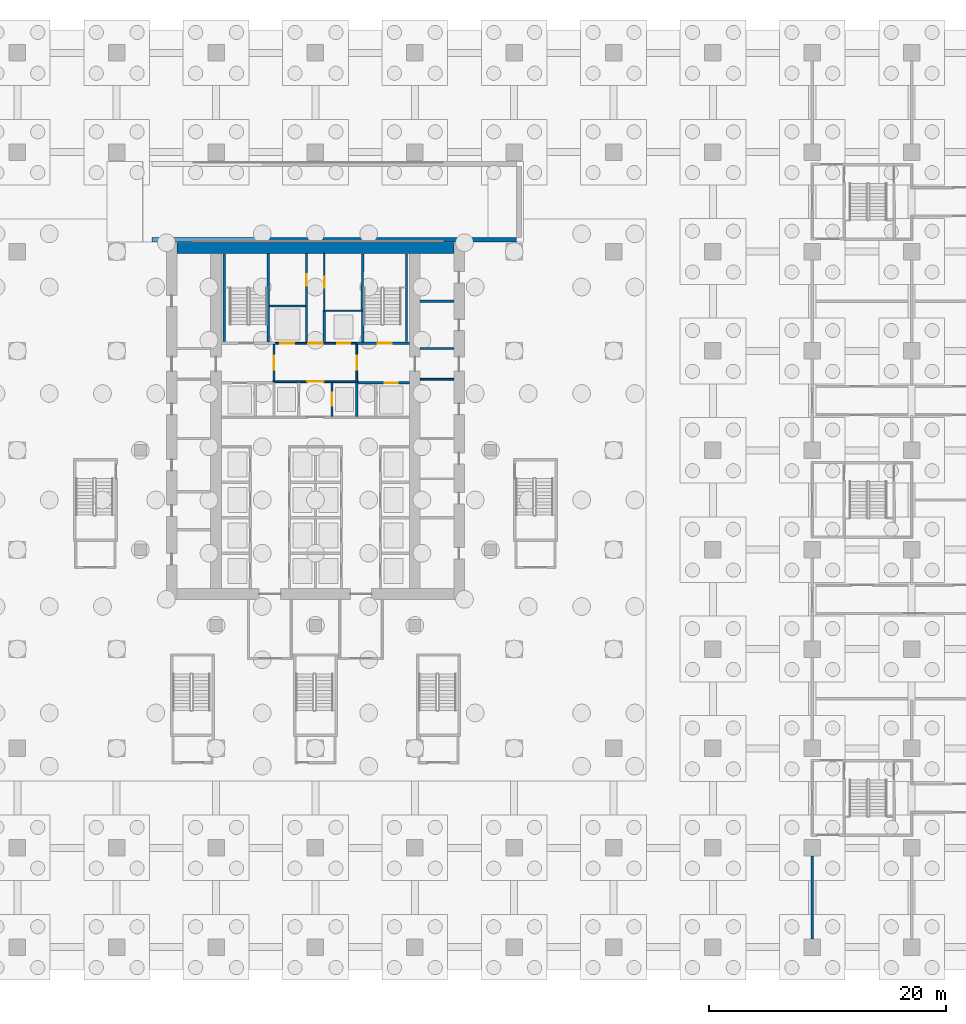
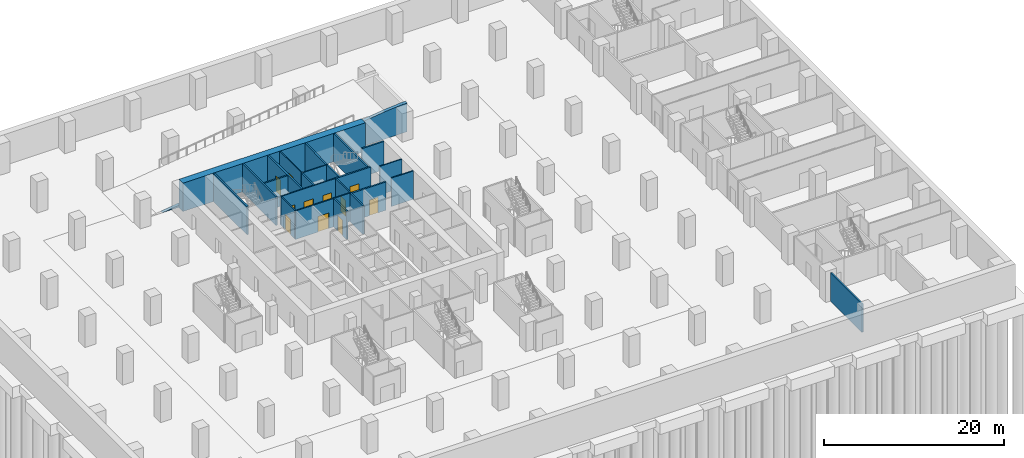
# One storey, part 12 of 22: 24 walls, 11 doors, 11 openings.
"""IFC4 building model written with IfcOpenShell, lengths in metres."""

import ifcopenshell
import ifcopenshell.guid

model = None  # the IFC model being written
_history = None  # IfcOwnerHistory: only IFC2X3 demands one
_inside = {}  # id of a spatial element -> (the spatial element, [elements in it])
_under = {}  # id of a project, library or spatial element -> (it, [spatial elements below it])
_declared = {}  # id of a project -> (the project, [libraries it declares])
_typed = {}  # id of a type object -> (the type object, [elements of that type])
_made_of = {}  # id of a material, layer set ... -> (it, [elements and type objects made of it])


def new_model(schema):
    """Start an empty IFC model of exactly this schema.

    Asked for "IFC4X3", IfcOpenShell would pick the latest addendum, in which some entities
    have other attributes; the version numbers below select the first issue.
    IFC2X3 requires an IfcOwnerHistory on every rooted entity: one is made here for all.
    """
    global model, _history
    if schema == "IFC4X3":
        model = ifcopenshell.file(schema_version=(4, 3, 0, 0))
    else:
        model = ifcopenshell.file(schema=schema)
    _inside.clear()
    _under.clear()
    _declared.clear()
    _typed.clear()
    _made_of.clear()
    _history = None
    if model.schema == "IFC2X3":
        org = make("IfcOrganization", Name="unknown")
        user = make(
            "IfcPersonAndOrganization",
            ThePerson=make("IfcPerson", FamilyName="unknown"),
            TheOrganization=org,
        )
        app = make(
            "IfcApplication",
            ApplicationDeveloper=org,
            Version="unknown",
            ApplicationFullName="unknown",
            ApplicationIdentifier="unknown",
        )
        _history = make(
            "IfcOwnerHistory",
            OwningUser=user,
            OwningApplication=app,
            ChangeAction="ADDED",
            CreationDate=0,
        )
    return model


def make(cls, **values):
    """One entity of the class cls with the attributes given. An attribute that is None is left unset."""
    return model.create_entity(
        cls, **{name: value for name, value in values.items() if value is not None}
    )


def rooted(cls, **values):
    """An entity with a GlobalId (a new one), such as an element, a storey or a relation."""
    return make(cls, GlobalId=ifcopenshell.guid.new(), OwnerHistory=_history, **values)


def si_unit(unit_type, name, prefix=None):
    """IfcSIUnit, for example si_unit("LENGTHUNIT", "METRE", prefix="MILLI")."""
    return make("IfcSIUnit", UnitType=unit_type, Prefix=prefix, Name=name)


def assignment(units):
    """IfcUnitAssignment: the units of a project."""
    return None if units is None else make("IfcUnitAssignment", Units=units)


def point(xyz):
    """IfcCartesianPoint."""
    return None if xyz is None else make("IfcCartesianPoint", Coordinates=xyz)


def direction(xyz):
    """IfcDirection."""
    return None if xyz is None else make("IfcDirection", DirectionRatios=xyz)


def frame(location, z_axis=None, x_axis=None):
    """IfcAxis2Placement3D, a coordinate frame: its origin and axes. An axis left out is left unset."""
    return make(
        "IfcAxis2Placement3D",
        Location=point(location),
        Axis=direction(z_axis),
        RefDirection=direction(x_axis),
    )


def frame_2d(location, x_axis=None):
    """IfcAxis2Placement2D, a coordinate frame in the plane: its origin and x axis."""
    return make(
        "IfcAxis2Placement2D", Location=point(location), RefDirection=direction(x_axis)
    )


def origin():
    """The frame at (0, 0, 0) with its axes left unset."""
    return frame((0.0, 0.0, 0.0))


def place(relative_to, where):
    """IfcLocalPlacement: puts the frame where relative to a parent placement (None: the world)."""
    return make(
        "IfcLocalPlacement", PlacementRelTo=relative_to, RelativePlacement=where
    )


def context(
    kind, dimensions, precision=None, world=None, true_north=None, identifier=None
):
    """IfcGeometricRepresentationContext, for example the 3D "Model" context."""
    return make(
        "IfcGeometricRepresentationContext",
        ContextIdentifier=identifier,
        ContextType=kind,
        CoordinateSpaceDimension=dimensions,
        Precision=precision,
        WorldCoordinateSystem=world,
        TrueNorth=true_north,
    )


def subcontext(parent, identifier, kind, view, scale=None):
    """IfcGeometricRepresentationSubContext, for example "Body" below "Model"."""
    return make(
        "IfcGeometricRepresentationSubContext",
        ContextIdentifier=identifier,
        ContextType=kind,
        ParentContext=parent,
        TargetScale=scale,
        TargetView=view,
    )


def project(units=None, contexts=None):
    """IfcProject with its units and contexts."""
    return rooted(
        "IfcProject",
        Name="project",
        RepresentationContexts=contexts,
        UnitsInContext=assignment(units),
    )


def spatial(cls, under=None, at=None, **own):
    """A site, building, storey or space (cls), placed at a placement, below another one or the project."""
    s = rooted(cls, ObjectPlacement=at, **own)
    if under is not None:
        _under.setdefault(under.id(), (under, []))[1].append(s)
    return s


def polyline(points):
    """IfcPolyline through the points."""
    return make("IfcPolyline", Points=[point(p) for p in points])


def profile(cls, at=None, kind="AREA", **sizes):
    """A parametric profile (cls). Its sizes go by their IFC names, for example OverallWidth=200.0."""
    return make(cls, ProfileType=kind, Position=at, **sizes)


def rectangle(**sizes):
    """IfcRectangleProfileDef."""
    return profile("IfcRectangleProfileDef", **sizes)


def outline(outer, holes=None, kind="AREA"):
    """IfcArbitraryClosedProfileDef: a profile drawn as a closed curve; with holes, ...WithVoids."""
    if holes is None:
        return make("IfcArbitraryClosedProfileDef", ProfileType=kind, OuterCurve=outer)
    return make(
        "IfcArbitraryProfileDefWithVoids",
        ProfileType=kind,
        OuterCurve=outer,
        InnerCurves=holes,
    )


def extrude(swept, where, along, depth):
    """IfcExtrudedAreaSolid: the profile swept, set in the frame where, extruded along a direction by depth."""
    return make(
        "IfcExtrudedAreaSolid",
        SweptArea=swept,
        Position=where,
        ExtrudedDirection=direction(along),
        Depth=depth,
    )


def shape(context_of_items, identifier, shape_type, items):
    """IfcShapeRepresentation: the items that make up one representation, for example the "Body"."""
    return make(
        "IfcShapeRepresentation",
        ContextOfItems=context_of_items,
        RepresentationIdentifier=identifier,
        RepresentationType=shape_type,
        Items=items,
    )


def material(Name=None, Category=None):
    """IfcMaterial."""
    return make("IfcMaterial", Name=Name, Category=Category)


def layer(
    of_material, thickness, ventilated=None, Name=None, Category=None, Priority=None
):
    """IfcMaterialLayer: one layer of a wall or slab, of a material (None: an air gap)."""
    return make(
        "IfcMaterialLayer",
        Material=of_material,
        LayerThickness=thickness,
        IsVentilated=ventilated,
        Name=Name,
        Category=Category,
        Priority=Priority,
    )


def layer_set(layers, Name=None):
    """IfcMaterialLayerSet."""
    return make("IfcMaterialLayerSet", MaterialLayers=layers, LayerSetName=Name)


def made_of(thing, what):
    """Note that an element or type object is made of a material, layer set ...; save() writes the relation."""
    if what is not None:
        _made_of.setdefault(what.id(), (what, []))[1].append(thing)
    return thing


def type_object(cls, material=None, **own):
    """A type object (cls), such as IfcWallType, which elements share."""
    return made_of(rooted(cls, **own), material)


def element(
    cls,
    number,
    at=None,
    inside=None,
    cuts=None,
    type_object=None,
    material=None,
    context=None,
    identifier="Body",
    shape_type=None,
    held_by="IfcProductDefinitionShape",
    body=None,
    shapes=None,
    **own,
):
    """One element of the class cls, such as IfcWall. Its Tag is "e" and its number.

    at: its placement. inside: the storey or other place that contains it. cuts: it is an
    opening in that element (IfcRelVoidsElement). A single representation is given by context,
    identifier, shape_type and body (its items); several are given by shapes. held_by: the class
    of the entity that holds the representations. save() writes the other relations.
    """
    e = rooted(cls, Tag="e%d" % number, ObjectPlacement=at, **own)
    if body is not None:
        shapes = [shape(context, identifier, shape_type, body)]
    if shapes is not None:
        e.Representation = make(held_by, Representations=shapes)
    if inside is not None:
        _inside.setdefault(inside.id(), (inside, []))[1].append(e)
    if cuts is not None:
        rooted(
            "IfcRelVoidsElement", RelatingBuildingElement=cuts, RelatedOpeningElement=e
        )
    if type_object is not None:
        _typed.setdefault(type_object.id(), (type_object, []))[1].append(e)
    return made_of(e, material)


def fill(opening, filler):
    """IfcRelFillsElement: the door or window that sits in an opening."""
    return rooted(
        "IfcRelFillsElement",
        RelatingOpeningElement=opening,
        RelatedBuildingElement=filler,
    )


def aggregate(whole, parts):
    """IfcRelAggregates: a whole, such as a stair, and the parts it consists of."""
    return rooted("IfcRelAggregates", RelatingObject=whole, RelatedObjects=parts)


def save(model, path):
    """Write the relations noted so far, then the file.

    IfcRelAggregates (storeys below a building ...), IfcRelContainedInSpatialStructure (elements
    in a storey), IfcRelDefinesByType, IfcRelAssociatesMaterial and IfcRelDeclares: one each for
    every whole, place, type object, material and project.
    """
    for whole, parts in _under.values():
        aggregate(whole, parts)
    for where, things in _inside.values():
        rooted(
            "IfcRelContainedInSpatialStructure",
            RelatedElements=things,
            RelatingStructure=where,
        )
    for kind, things in _typed.values():
        rooted("IfcRelDefinesByType", RelatedObjects=things, RelatingType=kind)
    for what, things in _made_of.values():
        rooted("IfcRelAssociatesMaterial", RelatedObjects=things, RelatingMaterial=what)
    for by, libraries in _declared.values():
        rooted("IfcRelDeclares", RelatingContext=by, RelatedDefinitions=libraries)
    model.write(path)


model = new_model("IFC4")

# Units and contexts
model_context = context("Model", 3, precision=1e-05, world=origin(), true_north=direction((0.0, 1.0)))
body_context = subcontext(model_context, "Body", "Model", "MODEL_VIEW")
ifc_project = project(units=[si_unit("LENGTHUNIT", "METRE"), si_unit("AREAUNIT", "SQUARE_METRE"), si_unit("VOLUMEUNIT", "CUBIC_METRE"), si_unit("PLANEANGLEUNIT", "RADIAN"), si_unit("MASSUNIT", "GRAM", prefix="KILO")], contexts=[model_context])

# Site, building, storey
site_placement = place(None, origin())
site = spatial("IfcSite", under=ifc_project, at=site_placement, CompositionType="ELEMENT")
building_placement = place(site_placement, origin())
building = spatial("IfcBuilding", under=site, at=building_placement, Name="Vermilion Ogive Tower", CompositionType="ELEMENT")
storey_placement = place(building_placement, frame((0.0, 0.0, -8.39990234375)))
storey = spatial("IfcBuildingStorey", under=building, at=storey_placement, Name="B2", CompositionType="ELEMENT", Elevation=-8.39990234375)

# Walls
ifc_material_1 = material(Name="Concrete B45", Category="concrete")
ifc_layer_1 = layer(ifc_material_1, 0.39990234375)
ifc_layer_set_1 = layer_set([ifc_layer_1], Name="Car park ramp wall 400 Concrete B45")
wall_type_1 = type_object("IfcWallType", Name="Car park ramp wall 400 Concrete B45", PredefinedType="SOLIDWALL", material=ifc_layer_set_1)
wall_1_placement = place(storey_placement, frame((-17.60009765625, 22.0, 0.0), z_axis=(0.0, 0.0, 1.0), x_axis=(1.0, 0.0, 0.0)))
element("IfcWall", 1, at=wall_1_placement, inside=storey, type_object=wall_type_1, Name="Car park ramp RB basement 2 to 1 wall R", PredefinedType="SOLIDWALL", context=body_context, shape_type="SweptSolid", body=[
    extrude(outline(polyline([(0.0, 0.0), (35.2001953125, 0.0), (35.199951171875, 3.89990234375), (34.60009765625, 3.89892578125), (32.199951171875, 3.70166015625), (3.0, -0.10498046875), (0.0, -0.30078125), (0.0, 0.0)])), frame((0.0, 0.199951171875, 0.0), z_axis=(0.0, -1.0, 0.0), x_axis=(1.0, 0.0, 0.0)), (0.0, 0.0, 1.0), 0.39990234375),
])
ifc_material_2 = material(Name="Gypsum board partition on steel studs", Category="steel")
ifc_layer_2 = layer(ifc_material_2, 0.10009765625)
ifc_layer_set_2 = layer_set([ifc_layer_2], Name="Partition 100 bath")
wall_type_2 = type_object("IfcWallType", Name="Partition 100 bath", PredefinedType="PARTITIONING", material=ifc_layer_set_2)
wall_2_placement = place(storey_placement, frame((0.64990234375, 16.0, 0.0), z_axis=(0.0, 0.0, 1.0), x_axis=(1.0, 0.0, 0.0)))
element("IfcWall", 2, at=wall_2_placement, inside=storey, type_object=wall_type_2, Name="B2-CK-W-W020", PredefinedType="PARTITIONING", context=body_context, shape_type="SweptSolid", body=[
    extrude(rectangle(XDim=3.4501953125, YDim=0.10009765625, at=frame_2d((1.72509765625, 0.0))), origin(), (0.0, 0.0, 1.0), 3.849853515625),
])

# Wall, opening, door
wall_3_placement = place(storey_placement, frame((0.75, 16.050048828125, 0.0), z_axis=(0.0, 0.0, 1.0), x_axis=(0.0, 1.0, 0.0)))
wall_3 = element("IfcWall", 3, at=wall_3_placement, inside=storey, type_object=wall_type_2, Name="B2-CK-W-W032", PredefinedType="PARTITIONING", context=body_context, shape_type="SweptSolid", body=[
    extrude(rectangle(XDim=4.799072265625, YDim=0.10009765625, at=frame_2d((2.3994140625, 0.0))), origin(), (0.0, 0.0, 1.0), 3.849853515625),
])
opening_1_placement = place(wall_3_placement, frame((1.875, 0.0, 0.0)))
opening_1 = element("IfcOpeningElement", 4, at=opening_1_placement, cuts=wall_3, Name="Opening DAG036", PredefinedType="OPENING", context=body_context, shape_type="SweptSolid", body=[
    extrude(rectangle(XDim=0.949951171875, YDim=2.10009765625, at=frame_2d((0.47509765625, 1.050048828125))), frame((0.0, 0.06005859375, 0.0), z_axis=(0.0, -1.0, 0.0), x_axis=(1.0, 0.0, 0.0)), (0.0, 0.0, 1.0), 0.1201171875),
])
ifc_material_3 = material(Name="Timber door leaf", Category="wood")
door_type_1 = type_object("IfcDoorType", Name="Service door 950 x 2100 FD60", OperationType="SINGLE_SWING_LEFT", PredefinedType="DOOR", material=ifc_material_3)
door_1_placement = place(opening_1_placement, origin())
door_1 = element("IfcDoor", 5, at=door_1_placement, inside=storey, type_object=door_type_1, Name="B2-CK-D-D029", OperationType="SINGLE_SWING_LEFT", OverallHeight=2.10009765625, OverallWidth=0.949951171875, PredefinedType="DOOR", context=body_context, shape_type="SweptSolid", body=[
    extrude(rectangle(XDim=0.949951171875, YDim=2.10009765625, at=frame_2d((0.47509765625, 1.050048828125))), frame((0.0, 0.02490234375, 0.0), z_axis=(0.0, -1.0, 0.0), x_axis=(1.0, 0.0, 0.0)), (0.0, 0.0, 1.0), 0.050048828125),
])
fill(opening_1, door_1)

ifc_material_4 = material(Name="Gypsum board partition on steel studs", Category="steel")
ifc_layer_3 = layer(ifc_material_4, 0.14990234375)
ifc_layer_set_3 = layer_set([ifc_layer_3], Name="Partition 150 corridor")
wall_type_3 = type_object("IfcWallType", Name="Partition 150 corridor", PredefinedType="PARTITIONING", material=ifc_layer_set_3)
wall_4_placement = place(storey_placement, frame((-3.60009765625, 10.0, 0.0), z_axis=(0.0, 0.0, 1.0), x_axis=(1.0, 0.0, 0.0)))
wall_4 = element("IfcWall", 6, at=wall_4_placement, inside=storey, type_object=wall_type_3, Name="B2-CK-W-W016", PredefinedType="PARTITIONING", context=body_context, shape_type="SweptSolid", body=[
    extrude(rectangle(XDim=7.2001953125, YDim=0.14990234375, at=frame_2d((3.60009765625, 0.0))), origin(), (0.0, 0.0, 1.0), 3.849853515625),
])
opening_2_placement = place(wall_4_placement, frame((2.900146484375, 0.0, 0.0)))
opening_2 = element("IfcOpeningElement", 7, at=opening_2_placement, cuts=wall_4, Name="Opening DAG033", PredefinedType="OPENING", context=body_context, shape_type="SweptSolid", body=[
    extrude(rectangle(XDim=1.39990234375, YDim=2.10009765625, at=frame_2d((0.699951171875, 1.050048828125))), frame((0.0, 0.0849609375, 0.0), z_axis=(0.0, -1.0, 0.0), x_axis=(1.0, 0.0, 0.0)), (0.0, 0.0, 1.0), 0.169921875),
])
ifc_material_5 = material(Name="Timber door leaf", Category="wood")
door_type_2 = type_object("IfcDoorType", Name="Lobby door 1400 x 2100 FD60S", OperationType="SINGLE_SWING_LEFT", PredefinedType="DOOR", material=ifc_material_5)
door_2_placement = place(opening_2_placement, origin())
door_2 = element("IfcDoor", 8, at=door_2_placement, inside=storey, type_object=door_type_2, Name="B2-CK-D-D022", OperationType="SINGLE_SWING_RIGHT", OverallHeight=2.10009765625, OverallWidth=1.39990234375, PredefinedType="DOOR", context=body_context, shape_type="SweptSolid", body=[
    extrude(rectangle(XDim=1.39990234375, YDim=2.10009765625, at=frame_2d((0.699951171875, 1.050048828125))), frame((0.0, 0.02490234375, 0.0), z_axis=(0.0, -1.0, 0.0), x_axis=(1.0, 0.0, 0.0)), (0.0, 0.0, 1.0), 0.050048828125),
])
fill(opening_2, door_2)

# Wall, openings, doors
wall_5_placement = place(storey_placement, frame((-3.574951171875, 13.25, 0.0), z_axis=(0.0, 0.0, 1.0), x_axis=(1.0, 0.0, 0.0)))
wall_5 = element("IfcWall", 9, at=wall_5_placement, inside=storey, type_object=wall_type_3, Name="B2-CK-W-W018", PredefinedType="PARTITIONING", context=body_context, shape_type="SweptSolid", body=[
    extrude(rectangle(XDim=7.14990234375, YDim=0.14990234375, at=frame_2d((3.574951171875, 0.0))), origin(), (0.0, 0.0, 1.0), 3.849853515625),
])
opening_3_placement = place(wall_5_placement, frame((0.599853515625, 0.0, 0.0)))
opening_3 = element("IfcOpeningElement", 10, at=opening_3_placement, cuts=wall_5, Name="Opening DAG060", PredefinedType="OPENING", context=body_context, shape_type="SweptSolid", body=[
    extrude(rectangle(XDim=1.199951171875, YDim=2.10009765625, at=frame_2d((0.60009765625, 1.050048828125))), frame((0.0, 0.0849609375, 0.0), z_axis=(0.0, -1.0, 0.0), x_axis=(1.0, 0.0, 0.0)), (0.0, 0.0, 1.0), 0.169921875),
])
opening_4_placement = place(wall_5_placement, frame((5.39990234375, 0.0, 0.0)))
opening_4 = element("IfcOpeningElement", 11, at=opening_4_placement, cuts=wall_5, Name="Opening DAG052", PredefinedType="OPENING", context=body_context, shape_type="SweptSolid", body=[
    extrude(rectangle(XDim=1.10009765625, YDim=2.10009765625, at=frame_2d((0.550048828125, 1.050048828125))), frame((0.0, 0.0849609375, 0.0), z_axis=(0.0, -1.0, 0.0), x_axis=(1.0, 0.0, 0.0)), (0.0, 0.0, 1.0), 0.169921875),
])
opening_5_placement = place(wall_5_placement, frame((2.974853515625, 0.0, 0.0)))
opening_5 = element("IfcOpeningElement", 12, at=opening_5_placement, cuts=wall_5, Name="Opening DAG034", PredefinedType="OPENING", context=body_context, shape_type="SweptSolid", body=[
    extrude(rectangle(XDim=1.199951171875, YDim=2.10009765625, at=frame_2d((0.60009765625, 1.050048828125))), frame((0.0, 0.0849609375, 0.0), z_axis=(0.0, -1.0, 0.0), x_axis=(1.0, 0.0, 0.0)), (0.0, 0.0, 1.0), 0.169921875),
])
ifc_material_6 = material(Name="Stainless steel", Category="steel")
door_type_3 = type_object("IfcDoorType", Name="Lift landing door 1100 x 2100", OperationType="SLIDING_TO_LEFT", PredefinedType="DOOR", material=ifc_material_6)
door_3_placement = place(opening_4_placement, origin())
door_3 = element("IfcDoor", 13, at=door_3_placement, inside=storey, type_object=door_type_3, Name="B2-CK-D-D026", OperationType="SLIDING_TO_LEFT", OverallHeight=2.10009765625, OverallWidth=1.10009765625, PredefinedType="DOOR", context=body_context, shape_type="SweptSolid", body=[
    extrude(rectangle(XDim=1.10009765625, YDim=2.10009765625, at=frame_2d((0.550048828125, 1.050048828125))), frame((0.0, 0.02490234375, 0.0), z_axis=(0.0, -1.0, 0.0), x_axis=(1.0, 0.0, 0.0)), (0.0, 0.0, 1.0), 0.050048828125),
])
fill(opening_4, door_3)
ifc_material_7 = material(Name="Stainless steel", Category="steel")
door_type_4 = type_object("IfcDoorType", Name="Lift landing door 1200 x 2100", OperationType="SLIDING_TO_LEFT", PredefinedType="DOOR", material=ifc_material_7)
door_4_placement = place(opening_3_placement, origin())
door_4 = element("IfcDoor", 14, at=door_4_placement, inside=storey, type_object=door_type_4, Name="B2-CK-D-D025", OperationType="SLIDING_TO_RIGHT", OverallHeight=2.10009765625, OverallWidth=1.199951171875, PredefinedType="DOOR", context=body_context, shape_type="SweptSolid", body=[
    extrude(rectangle(XDim=1.199951171875, YDim=2.10009765625, at=frame_2d((0.60009765625, 1.050048828125))), frame((0.0, 0.02490234375, 0.0), z_axis=(0.0, -1.0, 0.0), x_axis=(1.0, 0.0, 0.0)), (0.0, 0.0, 1.0), 0.050048828125),
])
fill(opening_3, door_4)
ifc_material_8 = material(Name="Timber door leaf", Category="wood")
door_type_5 = type_object("IfcDoorType", Name="Service door 1200 x 2100 FD60", OperationType="SINGLE_SWING_LEFT", PredefinedType="DOOR", material=ifc_material_8)
door_5_placement = place(opening_5_placement, origin())
door_5 = element("IfcDoor", 15, at=door_5_placement, inside=storey, type_object=door_type_5, Name="B2-CK-D-D027", OperationType="SINGLE_SWING_RIGHT", OverallHeight=2.10009765625, OverallWidth=1.199951171875, PredefinedType="DOOR", context=body_context, shape_type="SweptSolid", body=[
    extrude(rectangle(XDim=1.199951171875, YDim=2.10009765625, at=frame_2d((0.60009765625, 1.050048828125))), frame((0.0, 0.02490234375, 0.0), z_axis=(0.0, -1.0, 0.0), x_axis=(1.0, 0.0, 0.0)), (0.0, 0.0, 1.0), 0.050048828125),
])
fill(opening_5, door_5)

# Wall, opening, door
wall_6_placement = place(storey_placement, frame((-3.5, 10.074951171875, 0.0), z_axis=(0.0, 0.0, 1.0), x_axis=(0.0, 1.0, 0.0)))
wall_6 = element("IfcWall", 16, at=wall_6_placement, inside=storey, type_object=wall_type_3, Name="B2-CK-W-W026", PredefinedType="PARTITIONING", context=body_context, shape_type="SweptSolid", body=[
    extrude(rectangle(XDim=3.074951171875, YDim=0.14990234375, at=frame_2d((1.53759765625, 0.0))), origin(), (0.0, 0.0, 1.0), 3.849853515625),
])
opening_6_placement = place(wall_6_placement, frame((0.925048828125, 0.0, 0.0)))
opening_6 = element("IfcOpeningElement", 17, at=opening_6_placement, cuts=wall_6, Name="Opening DAG030", PredefinedType="OPENING", context=body_context, shape_type="SweptSolid", body=[
    extrude(rectangle(XDim=1.199951171875, YDim=2.10009765625, at=frame_2d((0.60009765625, 1.050048828125))), frame((0.0, 0.0849609375, 0.0), z_axis=(0.0, -1.0, 0.0), x_axis=(1.0, 0.0, 0.0)), (0.0, 0.0, 1.0), 0.169921875),
])
ifc_material_9 = material(Name="Timber door leaf", Category="wood")
door_type_6 = type_object("IfcDoorType", Name="Lobby door 1200 x 2100 FD60S", OperationType="SINGLE_SWING_LEFT", PredefinedType="DOOR", material=ifc_material_9)
door_6_placement = place(opening_6_placement, origin())
door_6 = element("IfcDoor", 18, at=door_6_placement, inside=storey, type_object=door_type_6, Name="B2-CK-D-D030", OperationType="SINGLE_SWING_RIGHT", OverallHeight=2.10009765625, OverallWidth=1.199951171875, PredefinedType="DOOR", context=body_context, shape_type="SweptSolid", body=[
    extrude(rectangle(XDim=1.199951171875, YDim=2.10009765625, at=frame_2d((0.60009765625, 1.050048828125))), frame((0.0, 0.02490234375, 0.0), z_axis=(0.0, -1.0, 0.0), x_axis=(1.0, 0.0, 0.0)), (0.0, 0.0, 1.0), 0.050048828125),
])
fill(opening_6, door_6)

wall_7_placement = place(storey_placement, frame((3.5, 10.074951171875, 0.0), z_axis=(0.0, 0.0, 1.0), x_axis=(0.0, 1.0, 0.0)))
wall_7 = element("IfcWall", 19, at=wall_7_placement, inside=storey, type_object=wall_type_3, Name="B2-CK-W-W036", PredefinedType="PARTITIONING", context=body_context, shape_type="SweptSolid", body=[
    extrude(rectangle(XDim=3.074951171875, YDim=0.14990234375, at=frame_2d((1.53759765625, 0.0))), origin(), (0.0, 0.0, 1.0), 3.849853515625),
])
opening_7_placement = place(wall_7_placement, frame((0.925048828125, 0.0, 0.0)))
opening_7 = element("IfcOpeningElement", 20, at=opening_7_placement, cuts=wall_7, Name="Opening DAG031", PredefinedType="OPENING", context=body_context, shape_type="SweptSolid", body=[
    extrude(rectangle(XDim=1.199951171875, YDim=2.10009765625, at=frame_2d((0.60009765625, 1.050048828125))), frame((0.0, 0.0849609375, 0.0), z_axis=(0.0, -1.0, 0.0), x_axis=(1.0, 0.0, 0.0)), (0.0, 0.0, 1.0), 0.169921875),
])
door_7_placement = place(opening_7_placement, origin())
door_7 = element("IfcDoor", 21, at=door_7_placement, inside=storey, type_object=door_type_6, Name="B2-CK-D-D031", OperationType="SINGLE_SWING_LEFT", OverallHeight=2.10009765625, OverallWidth=1.199951171875, PredefinedType="DOOR", context=body_context, shape_type="SweptSolid", body=[
    extrude(rectangle(XDim=1.199951171875, YDim=2.10009765625, at=frame_2d((0.60009765625, 1.050048828125))), frame((0.0, 0.02490234375, 0.0), z_axis=(0.0, -1.0, 0.0), x_axis=(1.0, 0.0, 0.0)), (0.0, 0.0, 1.0), 0.050048828125),
])
fill(opening_7, door_7)

# Walls
for number, where, z_axis, x_axis, name in (
    (22, (8.85107421875, 10.199951171875, 0.0), (0.0, 0.0, 1.0), (1.0, 0.0, 0.0), "B2-CKE-W-W004"),
    (23, (8.85107421875, 12.800048828125, 0.0), (0.0, 0.0, 1.0), (1.0, 0.0, 0.0), "B2-CKE-W-W005"),
):
    element("IfcWall", number, at=place(storey_placement, frame(where, z_axis=z_axis, x_axis=x_axis)), inside=storey, type_object=wall_type_3, Name=name, PredefinedType="PARTITIONING", context=body_context, shape_type="SweptSolid", body=[
        extrude(rectangle(XDim=2.847900390625, YDim=0.14990234375, at=frame_2d((1.423828125, 0.0))), origin(), (0.0, 0.0, 1.0), 3.849853515625),
    ])
ifc_material_10 = material(Name="Gypsum board partition on steel studs", Category="steel")
ifc_layer_4 = layer(ifc_material_10, 0.199951171875)
ifc_layer_set_4 = layer_set([ifc_layer_4], Name="Partition 200 party")
wall_type_4 = type_object("IfcWallType", Name="Partition 200 party", PredefinedType="PARTITIONING", material=ifc_layer_set_4)
wall_8_placement = place(storey_placement, frame((42.0, -37.10009765625, 0.0), z_axis=(0.0, 0.0, 1.0), x_axis=(0.0, 1.0, 0.0)))
element("IfcWall", 24, at=wall_8_placement, inside=storey, type_object=wall_type_4, Name="B2-PK-W-W051a", PredefinedType="PARTITIONING", context=body_context, shape_type="SweptSolid", body=[
    extrude(rectangle(XDim=7.0, YDim=0.199951171875, at=frame_2d((3.5, 0.0))), origin(), (0.0, 0.0, 1.0), 3.849853515625),
])

# Wall, opening, door
wall_9_placement = place(storey_placement, frame((3.60009765625, 9.89990234375, 0.0), z_axis=(0.0, 0.0, 1.0), x_axis=(1.0, 0.0, 0.0)))
wall_9 = element("IfcWall", 25, at=wall_9_placement, inside=storey, type_object=wall_type_4, Name="B2-CK-W-W015", PredefinedType="PARTITIONING", context=body_context, shape_type="SweptSolid", body=[
    extrude(rectangle(XDim=4.348876953125, YDim=0.199951171875, at=frame_2d((2.17431640625, 0.0))), origin(), (0.0, 0.0, 1.0), 3.849853515625),
])
opening_8_placement = place(wall_9_placement, frame((2.25, 0.0, 0.0)))
opening_8 = element("IfcOpeningElement", 26, at=opening_8_placement, cuts=wall_9, Name="Opening DAG048", PredefinedType="OPENING", context=body_context, shape_type="SweptSolid", body=[
    extrude(rectangle(XDim=1.10009765625, YDim=2.10009765625, at=frame_2d((0.550048828125, 1.050048828125))), frame((0.0, 0.10986328125, 0.0), z_axis=(0.0, -1.0, 0.0), x_axis=(1.0, 0.0, 0.0)), (0.0, 0.0, 1.0), 0.219970703125),
])
door_8_placement = place(opening_8_placement, origin())
door_8 = element("IfcDoor", 27, at=door_8_placement, inside=storey, type_object=door_type_3, Name="B2-CK-D-D020", OperationType="SLIDING_TO_LEFT", OverallHeight=2.10009765625, OverallWidth=1.10009765625, PredefinedType="DOOR", context=body_context, shape_type="SweptSolid", body=[
    extrude(rectangle(XDim=1.10009765625, YDim=2.10009765625, at=frame_2d((0.550048828125, 1.050048828125))), frame((0.0, 0.02490234375, 0.0), z_axis=(0.0, -1.0, 0.0), x_axis=(1.0, 0.0, 0.0)), (0.0, 0.0, 1.0), 0.050048828125),
])
fill(opening_8, door_8)

# Wall
wall_10_placement = place(storey_placement, frame((-3.89990234375, 16.39990234375, 0.0), z_axis=(0.0, 0.0, 1.0), x_axis=(1.0, 0.0, 0.0)))
element("IfcWall", 28, at=wall_10_placement, inside=storey, type_object=wall_type_4, Name="B2-CK-W-W021", PredefinedType="PARTITIONING", context=body_context, shape_type="SweptSolid", body=[
    extrude(rectangle(XDim=3.0498046875, YDim=0.199951171875, at=frame_2d((1.52490234375, 0.0))), origin(), (0.0, 0.0, 1.0), 3.849853515625),
])

# Wall, opening, door
wall_11_placement = place(storey_placement, frame((-0.75, 13.324951171875, 0.0), z_axis=(0.0, 0.0, 1.0), x_axis=(0.0, 1.0, 0.0)))
wall_11 = element("IfcWall", 29, at=wall_11_placement, inside=storey, type_object=wall_type_4, Name="B2-CK-W-W029", PredefinedType="PARTITIONING", context=body_context, shape_type="SweptSolid", body=[
    extrude(rectangle(XDim=7.524169921875, YDim=0.199951171875, at=frame_2d((3.76220703125, 0.0))), origin(), (0.0, 0.0, 1.0), 3.849853515625),
])
opening_9_placement = place(wall_11_placement, frame((4.800048828125, 0.0, 0.0)))
opening_9 = element("IfcOpeningElement", 30, at=opening_9_placement, cuts=wall_11, Name="Opening DAG035", PredefinedType="OPENING", context=body_context, shape_type="SweptSolid", body=[
    extrude(rectangle(XDim=0.949951171875, YDim=2.10009765625, at=frame_2d((0.47509765625, 1.050048828125))), frame((0.0, 0.10986328125, 0.0), z_axis=(0.0, -1.0, 0.0), x_axis=(1.0, 0.0, 0.0)), (0.0, 0.0, 1.0), 0.219970703125),
])
door_9_placement = place(opening_9_placement, origin())
door_9 = element("IfcDoor", 31, at=door_9_placement, inside=storey, type_object=door_type_1, Name="B2-CK-D-D028", OperationType="SINGLE_SWING_RIGHT", OverallHeight=2.10009765625, OverallWidth=0.949951171875, PredefinedType="DOOR", context=body_context, shape_type="SweptSolid", body=[
    extrude(rectangle(XDim=0.949951171875, YDim=2.10009765625, at=frame_2d((0.47509765625, 1.050048828125))), frame((0.0, 0.02490234375, 0.0), z_axis=(0.0, -1.0, 0.0), x_axis=(1.0, 0.0, 0.0)), (0.0, 0.0, 1.0), 0.050048828125),
])
fill(opening_9, door_9)

# Wall
wall_12_placement = place(storey_placement, frame((0.75, 13.324951171875, 0.0), z_axis=(0.0, 0.0, 1.0), x_axis=(0.0, 1.0, 0.0)))
element("IfcWall", 32, at=wall_12_placement, inside=storey, type_object=wall_type_4, Name="B2-CK-W-W031", PredefinedType="PARTITIONING", context=body_context, shape_type="SweptSolid", body=[
    extrude(rectangle(XDim=2.625, YDim=0.199951171875, at=frame_2d((1.3125, 0.0))), origin(), (0.0, 0.0, 1.0), 3.849853515625),
])

# Wall, opening, door
wall_13_placement = place(storey_placement, frame((1.39990234375, 7.074951171875, 0.0), z_axis=(0.0, 0.0, 1.0), x_axis=(0.0, 1.0, 0.0)))
wall_13 = element("IfcWall", 33, at=wall_13_placement, inside=storey, type_object=wall_type_4, Name="B2-CK-W-W033", PredefinedType="PARTITIONING", context=body_context, shape_type="SweptSolid", body=[
    extrude(rectangle(XDim=2.85009765625, YDim=0.199951171875, at=frame_2d((1.425048828125, 0.0))), origin(), (0.0, 0.0, 1.0), 3.849853515625),
])
opening_10_placement = place(wall_13_placement, frame((0.875, 0.0, 0.0)))
opening_10 = element("IfcOpeningElement", 34, at=opening_10_placement, cuts=wall_13, Name="Opening DAG051", PredefinedType="OPENING", context=body_context, shape_type="SweptSolid", body=[
    extrude(rectangle(XDim=1.10009765625, YDim=2.10009765625, at=frame_2d((0.550048828125, 1.050048828125))), frame((0.0, 0.10986328125, 0.0), z_axis=(0.0, -1.0, 0.0), x_axis=(1.0, 0.0, 0.0)), (0.0, 0.0, 1.0), 0.219970703125),
])
door_10_placement = place(opening_10_placement, origin())
door_10 = element("IfcDoor", 35, at=door_10_placement, inside=storey, type_object=door_type_3, Name="B2-CK-D-D024", OperationType="SLIDING_TO_RIGHT", OverallHeight=2.10009765625, OverallWidth=1.10009765625, PredefinedType="DOOR", context=body_context, shape_type="SweptSolid", body=[
    extrude(rectangle(XDim=1.10009765625, YDim=2.10009765625, at=frame_2d((0.550048828125, 1.050048828125))), frame((0.0, 0.02490234375, 0.0), z_axis=(0.0, -1.0, 0.0), x_axis=(1.0, 0.0, 0.0)), (0.0, 0.0, 1.0), 0.050048828125),
])
fill(opening_10, door_10)

# Walls
wall_14_placement = place(storey_placement, frame((3.5, 7.074951171875, 0.0), z_axis=(0.0, 0.0, 1.0), x_axis=(0.0, 1.0, 0.0)))
element("IfcWall", 36, at=wall_14_placement, inside=storey, type_object=wall_type_4, Name="B2-CK-W-W035", PredefinedType="PARTITIONING", context=body_context, shape_type="SweptSolid", body=[
    extrude(rectangle(XDim=2.85009765625, YDim=0.199951171875, at=frame_2d((1.425048828125, 0.0))), origin(), (0.0, 0.0, 1.0), 3.849853515625),
])
wall_15_placement = place(storey_placement, frame((8.85107421875, 16.800048828125, 0.0), z_axis=(0.0, 0.0, 1.0), x_axis=(1.0, 0.0, 0.0)))
element("IfcWall", 37, at=wall_15_placement, inside=storey, type_object=wall_type_4, Name="B2-CKE-W-W006", PredefinedType="PARTITIONING", context=body_context, shape_type="SweptSolid", body=[
    extrude(rectangle(XDim=2.847900390625, YDim=0.199951171875, at=frame_2d((1.423828125, 0.0))), origin(), (0.0, 0.0, 1.0), 3.849853515625),
])
ifc_material_11 = material(Name="Concrete B60", Category="concrete")
ifc_layer_5 = layer(ifc_material_11, 0.199951171875)
ifc_layer_set_5 = layer_set([ifc_layer_5], Name="Stair shaft wall 200 Concrete B60")
wall_type_5 = type_object("IfcWallType", Name="Stair shaft wall 200 Concrete B60", PredefinedType="SOLIDWALL", material=ifc_layer_set_5)
wall_16_placement = place(storey_placement, frame((-11.699951171875, 21.300048828125, 0.0), z_axis=(0.0, 0.0, 1.0), x_axis=(1.0, 0.0, 0.0)))
element("IfcWall", 38, at=wall_16_placement, inside=storey, type_object=wall_type_5, Name="B2-CORE-N", PredefinedType="SOLIDWALL", context=body_context, shape_type="SweptSolid", body=[
    extrude(rectangle(XDim=23.39990234375, YDim=0.89990234375, at=frame_2d((11.699951171875, 0.0))), origin(), (0.0, 0.0, 1.0), 3.849853515625),
])

# Wall, opening, door
wall_17_placement = place(storey_placement, frame((3.425048828125, 13.25, 0.0), z_axis=(0.0, 0.0, 1.0), x_axis=(1.0, 0.0, 0.0)))
wall_17 = element("IfcWall", 39, at=wall_17_placement, inside=storey, type_object=wall_type_5, Name="B2-CK-W-W019", PredefinedType="SOLIDWALL", context=body_context, shape_type="SweptSolid", body=[
    extrude(rectangle(XDim=4.52392578125, YDim=0.199951171875, at=frame_2d((2.261962890625, 0.0))), origin(), (0.0, 0.0, 1.0), 3.849853515625),
])
opening_11_placement = place(wall_17_placement, frame((1.824951171875, 0.0, 0.0)))
opening_11 = element("IfcOpeningElement", 40, at=opening_11_placement, cuts=wall_17, Name="Opening DAG038", PredefinedType="OPENING", context=body_context, shape_type="SweptSolid", body=[
    extrude(rectangle(XDim=1.199951171875, YDim=2.10009765625, at=frame_2d((0.60009765625, 1.050048828125))), frame((0.0, 0.10986328125, 0.0), z_axis=(0.0, -1.0, 0.0), x_axis=(1.0, 0.0, 0.0)), (0.0, 0.0, 1.0), 0.219970703125),
])
ifc_material_12 = material(Name="Timber door leaf", Category="wood")
door_type_7 = type_object("IfcDoorType", Name="Stair door 1200 x 2100 FD60S", OperationType="SINGLE_SWING_LEFT", PredefinedType="DOOR", material=ifc_material_12)
door_11_placement = place(opening_11_placement, origin())
door_11 = element("IfcDoor", 41, at=door_11_placement, inside=storey, type_object=door_type_7, Name="B2-CK-D-D019", OperationType="SINGLE_SWING_RIGHT", OverallHeight=2.10009765625, OverallWidth=1.199951171875, PredefinedType="DOOR", context=body_context, shape_type="SweptSolid", body=[
    extrude(rectangle(XDim=1.199951171875, YDim=2.10009765625, at=frame_2d((0.60009765625, 1.050048828125))), frame((0.0, 0.02490234375, 0.0), z_axis=(0.0, -1.0, 0.0), x_axis=(1.0, 0.0, 0.0)), (0.0, 0.0, 1.0), 0.050048828125),
])
fill(opening_11, door_11)

# Walls
wall_18_placement = place(storey_placement, frame((-4.0, 13.35009765625, 0.0), z_axis=(0.0, 0.0, 1.0), x_axis=(0.0, 1.0, 0.0)))
element("IfcWall", 42, at=wall_18_placement, inside=storey, type_object=wall_type_5, Name="B2-CK-W-W024", PredefinedType="SOLIDWALL", context=body_context, shape_type="SweptSolid", body=[
    extrude(rectangle(XDim=7.4990234375, YDim=0.199951171875, at=frame_2d((3.74951171875, 0.0))), origin(), (0.0, 0.0, 1.0), 3.849853515625),
])
wall_19_placement = place(storey_placement, frame((4.0, 13.35009765625, 0.0), z_axis=(0.0, 0.0, 1.0), x_axis=(0.0, 1.0, 0.0)))
element("IfcWall", 43, at=wall_19_placement, inside=storey, type_object=wall_type_5, Name="B2-CK-W-W037", PredefinedType="SOLIDWALL", context=body_context, shape_type="SweptSolid", body=[
    extrude(rectangle(XDim=2.599853515625, YDim=0.199951171875, at=frame_2d((1.2998046875, 0.0))), origin(), (0.0, 0.0, 1.0), 3.849853515625),
])
wall_20_placement = place(storey_placement, frame((3.949951171875, 16.050048828125, 0.0), z_axis=(0.0, 0.0, 1.0), x_axis=(0.010538176883, 0.999944471872, 0.0)))
element("IfcWall", 44, at=wall_20_placement, inside=storey, type_object=wall_type_5, Name="B2-CK-W-W038", PredefinedType="SOLIDWALL", context=body_context, shape_type="SweptSolid", body=[
    extrude(rectangle(XDim=4.749267578125, YDim=0.199951171875, at=frame_2d((2.37451171875, 0.0))), origin(), (0.0, 0.0, 1.0), 3.849853515625),
])
for number, where, z_axis, x_axis, name in (
    (45, (-7.699951171875, 13.39990234375, 0.0), (0.0, 0.0, 1.0), (0.0, 1.0, 0.0), "B2-SW-R021-W1"),
    (46, (7.699951171875, 13.39990234375, 0.0), (0.0, 0.0, 1.0), (0.0, 1.0, 0.0), "B2-SW-R025-E1"),
):
    element("IfcWall", number, at=place(storey_placement, frame(where, z_axis=z_axis, x_axis=x_axis)), inside=storey, type_object=wall_type_5, Name=name, PredefinedType="SOLIDWALL", context=body_context, shape_type="SweptSolid", body=[
        extrude(rectangle(XDim=7.400146484375, YDim=0.199951171875, at=frame_2d((3.7001953125, 0.0))), origin(), (0.0, 0.0, 1.0), 3.849853515625),
    ])

save(model, "model.ifc")
